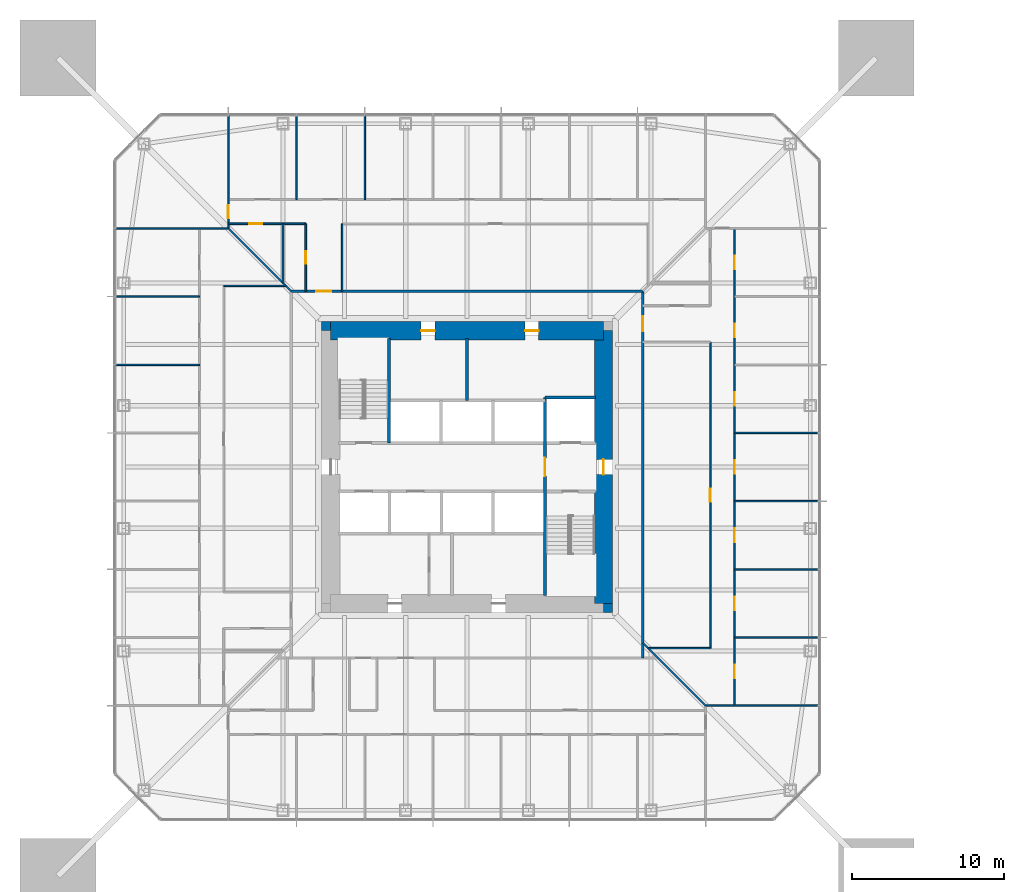
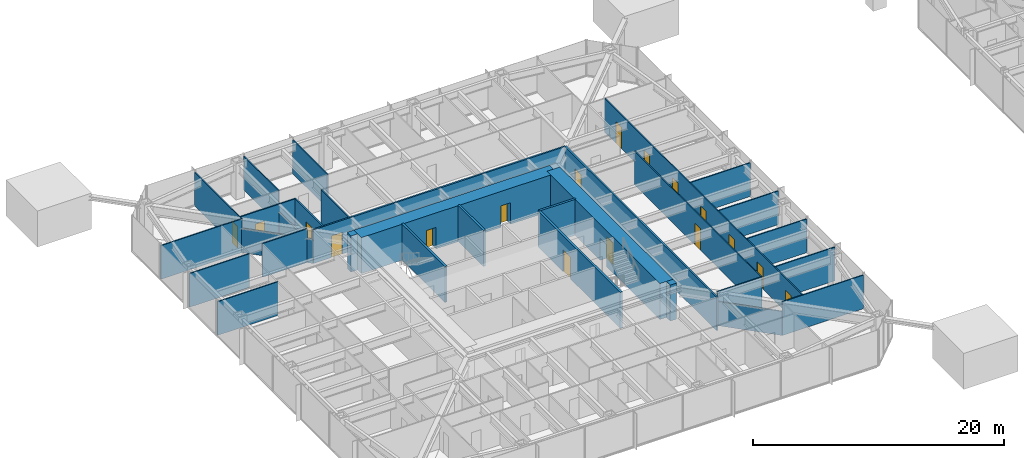
# One storey, part 16 of 26: 31 walls, 17 doors, 17 openings.
"""IFC4 building model written with IfcOpenShell, lengths in metres."""

from ifc_helpers import new_model, si_unit, direction, frame, frame_2d, origin, place, context, subcontext, project, spatial, rectangle, extrude, material, layer, layer_set, type_object, element, fill, save


model = new_model("IFC4")

# Units and contexts
model_context = context("Model", 3, precision=1e-05, world=origin(), true_north=direction((0.0, 1.0)))
body_context = subcontext(model_context, "Body", "Model", "MODEL_VIEW")
ifc_project = project(units=[si_unit("LENGTHUNIT", "METRE"), si_unit("AREAUNIT", "SQUARE_METRE"), si_unit("VOLUMEUNIT", "CUBIC_METRE"), si_unit("PLANEANGLEUNIT", "RADIAN"), si_unit("MASSUNIT", "GRAM", prefix="KILO")], contexts=[model_context])

# Site, building, storey
site_placement = place(None, origin())
site = spatial("IfcSite", under=ifc_project, at=site_placement, CompositionType="ELEMENT")
building_placement = place(site_placement, origin())
building = spatial("IfcBuilding", under=site, at=building_placement, Name="Iwan Alto Co-Living Towers", CompositionType="ELEMENT")
storey_placement = place(building_placement, frame((0.0, 0.0, 18.5)))
storey = spatial("IfcBuildingStorey", under=building, at=storey_placement, Name="L04", CompositionType="ELEMENT", Elevation=18.5)

# Wall, opening, door
ifc_material_1 = material(Name="Gypsum board")
ifc_layer_1 = layer(ifc_material_1, 0.02490234375, Name="Board", Category="Finish")
ifc_material_2 = material(Name="Steel ASTM A1003 ST33H cold-formed studs", Category="steel")
ifc_layer_2 = layer(ifc_material_2, 0.10009765625, Name="Studs", Category="Framing")
ifc_layer_3 = layer(ifc_material_1, 0.02490234375, Name="Board", Category="Finish")
ifc_layer_set_1 = layer_set([ifc_layer_1, ifc_layer_2, ifc_layer_3], Name="CORRIDOR WALL 150")
wall_type_1 = type_object("IfcWallType", Name="CORRIDOR WALL 150", PredefinedType="PARTITIONING", material=ifc_layer_set_1)
wall_1_placement = place(storey_placement, frame((-11.60009765625, 11.60009765625, 0.0), z_axis=(0.0, 0.0, 1.0), x_axis=(1.0, 0.0, 0.0)))
wall_1 = element("IfcWall", 1, at=wall_1_placement, inside=storey, type_object=wall_type_1, Name="Partition L04", PredefinedType="PARTITIONING", context=body_context, shape_type="SweptSolid", body=[
    extrude(rectangle(XDim=23.2001953125, YDim=0.14990234375, at=frame_2d((11.60009765625, 0.0))), origin(), (0.0, 0.0, 1.0), 3.27001953125),
])
opening_1_placement = place(wall_1_placement, frame((1.64990234375, 0.0, 0.0)))
opening_1 = element("IfcOpeningElement", 2, at=opening_1_placement, cuts=wall_1, Name="Opening D3", PredefinedType="OPENING", context=body_context, shape_type="SweptSolid", body=[
    extrude(rectangle(XDim=1.0, YDim=2.10009765625, at=frame_2d((0.5, 1.050048828125))), frame((0.0, 0.0849609375, 0.0), z_axis=(0.0, -1.0, 0.0), x_axis=(1.0, 0.0, 0.0)), (0.0, 0.0, 1.0), 0.169921875),
])
ifc_material_3 = material(Name="Steel frame with timber leaf", Category="steel")
door_type_1 = type_object("IfcDoorType", Name="FLAT ENTRANCE DOOR FD30S 1000X2100", OperationType="SINGLE_SWING_LEFT", PredefinedType="DOOR", material=ifc_material_3)
door_1_placement = place(opening_1_placement, origin())
door_1 = element("IfcDoor", 3, at=door_1_placement, inside=storey, type_object=door_type_1, Name="Cluster lounge door L04", OperationType="SINGLE_SWING_LEFT", OverallHeight=2.10009765625, OverallWidth=1.0, PredefinedType="DOOR", context=body_context, shape_type="SweptSolid", body=[
    extrude(rectangle(XDim=1.0, YDim=2.10009765625, at=frame_2d((0.5, 1.050048828125))), frame((0.0, 0.02490234375, 0.0), z_axis=(0.0, -1.0, 0.0), x_axis=(1.0, 0.0, 0.0)), (0.0, 0.0, 1.0), 0.050048828125),
])
fill(opening_1, door_1)

wall_2_placement = place(storey_placement, frame((11.60009765625, -12.60009765625, 0.0), z_axis=(0.0, 0.0, 1.0), x_axis=(0.0, 1.0, 0.0)))
wall_2 = element("IfcWall", 4, at=wall_2_placement, inside=storey, type_object=wall_type_1, Name="Partition L04", PredefinedType="PARTITIONING", context=body_context, shape_type="SweptSolid", body=[
    extrude(rectangle(XDim=24.2001953125, YDim=0.14990234375, at=frame_2d((12.10009765625, 0.0))), origin(), (0.0, 0.0, 1.0), 3.27001953125),
])
opening_2_placement = place(wall_2_placement, frame((21.550048828125, 0.0, 0.0)))
opening_2 = element("IfcOpeningElement", 5, at=opening_2_placement, cuts=wall_2, Name="Opening D3", PredefinedType="OPENING", context=body_context, shape_type="SweptSolid", body=[
    extrude(rectangle(XDim=1.0, YDim=2.10009765625, at=frame_2d((0.5, 1.050048828125))), frame((0.0, 0.0849609375, 0.0), z_axis=(0.0, -1.0, 0.0), x_axis=(1.0, 0.0, 0.0)), (0.0, 0.0, 1.0), 0.169921875),
])
door_2_placement = place(opening_2_placement, frame((1.0, 0.0, 0.0), z_axis=(0.0, 0.0, 1.0), x_axis=(-1.0, 0.0, 0.0)))
door_2 = element("IfcDoor", 6, at=door_2_placement, inside=storey, type_object=door_type_1, Name="Cluster lounge door L04", OperationType="SINGLE_SWING_RIGHT", OverallHeight=2.10009765625, OverallWidth=1.0, PredefinedType="DOOR", context=body_context, shape_type="SweptSolid", body=[
    extrude(rectangle(XDim=1.0, YDim=2.10009765625, at=frame_2d((0.5, 1.050048828125))), frame((0.0, 0.02490234375, 0.0), z_axis=(0.0, -1.0, 0.0), x_axis=(1.0, 0.0, 0.0)), (0.0, 0.0, 1.0), 0.050048828125),
])
fill(opening_2, door_2)

# Walls
ifc_layer_4 = layer(ifc_material_1, 0.012451171875, Name="Board", Category="Finish")
ifc_layer_5 = layer(ifc_material_2, 0.074951171875, Name="Studs", Category="Framing")
ifc_layer_6 = layer(ifc_material_1, 0.012451171875, Name="Board", Category="Finish")
ifc_layer_set_2 = layer_set([ifc_layer_4, ifc_layer_5, ifc_layer_6], Name="PARTITION 100")
wall_type_2 = type_object("IfcWallType", Name="PARTITION 100", PredefinedType="PARTITIONING", material=ifc_layer_set_2)
wall_3_placement = place(storey_placement, frame((15.75, -15.75, 0.0), z_axis=(0.0, 0.0, 1.0), x_axis=(1.0, 0.0, 0.0)))
element("IfcWall", 7, at=wall_3_placement, inside=storey, type_object=wall_type_2, Name="Partition L04", PredefinedType="PARTITIONING", context=body_context, shape_type="SweptSolid", body=[
    extrude(rectangle(XDim=7.43994140625, YDim=0.10009765625, at=frame_2d((3.719970703125, 0.0))), origin(), (0.0, 0.0, 1.0), 3.27001953125),
])
wall_4_placement = place(storey_placement, frame((11.949951171875, -11.949951171875, 0.0), z_axis=(0.0, 0.0, 1.0), x_axis=(1.0, 0.0, 0.0)))
element("IfcWall", 8, at=wall_4_placement, inside=storey, type_object=wall_type_2, Name="Partition L04", PredefinedType="PARTITIONING", context=body_context, shape_type="SweptSolid", body=[
    extrude(rectangle(XDim=4.10009765625, YDim=0.10009765625, at=frame_2d((2.050048828125, 0.0))), origin(), (0.0, 0.0, 1.0), 3.27001953125),
])
for number, where, z_axis, x_axis, name in (
    (9, (17.64990234375, -11.25, 0.0), (0.0, 0.0, 1.0), (1.0, 0.0, 0.0), "Partition L04"),
    (10, (17.64990234375, -6.75, 0.0), (0.0, 0.0, 1.0), (1.0, 0.0, 0.0), "Partition L04"),
    (11, (17.64990234375, -2.25, 0.0), (0.0, 0.0, 1.0), (1.0, 0.0, 0.0), "Partition L04"),
    (12, (17.64990234375, 2.25, 0.0), (0.0, 0.0, 1.0), (1.0, 0.0, 0.0), "Partition L04"),
    (13, (-23.18994140625, 6.75, 0.0), (0.0, 0.0, 1.0), (1.0, 0.0, 0.0), "Partition L04"),
    (14, (-23.18994140625, 11.25, 0.0), (0.0, 0.0, 1.0), (1.0, 0.0, 0.0), "Partition L04"),
):
    element("IfcWall", number, at=place(storey_placement, frame(where, z_axis=z_axis, x_axis=x_axis)), inside=storey, type_object=wall_type_2, Name=name, PredefinedType="PARTITIONING", context=body_context, shape_type="SweptSolid", body=[
        extrude(rectangle(XDim=5.5400390625, YDim=0.10009765625, at=frame_2d((2.77001953125, 0.0))), origin(), (0.0, 0.0, 1.0), 3.27001953125),
    ])
wall_5_placement = place(storey_placement, frame((-16.050048828125, 11.949951171875, 0.0), z_axis=(0.0, 0.0, 1.0), x_axis=(1.0, 0.0, 0.0)))
element("IfcWall", 15, at=wall_5_placement, inside=storey, type_object=wall_type_2, Name="Partition L04", PredefinedType="PARTITIONING", context=body_context, shape_type="SweptSolid", body=[
    extrude(rectangle(XDim=4.10009765625, YDim=0.10009765625, at=frame_2d((2.050048828125, 0.0))), origin(), (0.0, 0.0, 1.0), 3.27001953125),
])
wall_6_placement = place(storey_placement, frame((-23.18994140625, 15.75, 0.0), z_axis=(0.0, 0.0, 1.0), x_axis=(1.0, 0.0, 0.0)))
element("IfcWall", 16, at=wall_6_placement, inside=storey, type_object=wall_type_2, Name="Partition L04", PredefinedType="PARTITIONING", context=body_context, shape_type="SweptSolid", body=[
    extrude(rectangle(XDim=7.43994140625, YDim=0.10009765625, at=frame_2d((3.719970703125, 0.0))), origin(), (0.0, 0.0, 1.0), 3.27001953125),
])

# Wall, openings, doors
wall_7_placement = place(storey_placement, frame((17.64990234375, -15.75, 0.0), z_axis=(0.0, 0.0, 1.0), x_axis=(0.0, 1.0, 0.0)))
wall_7 = element("IfcWall", 17, at=wall_7_placement, inside=storey, type_object=wall_type_2, Name="Partition L04", PredefinedType="PARTITIONING", context=body_context, shape_type="SweptSolid", body=[
    extrude(rectangle(XDim=31.5, YDim=0.10009765625, at=frame_2d((15.75, 0.0))), origin(), (0.0, 0.0, 1.0), 3.27001953125),
])
opening_3_placement = place(wall_7_placement, frame((1.800048828125, 0.0, 0.0)))
opening_3 = element("IfcOpeningElement", 18, at=opening_3_placement, cuts=wall_7, Name="Opening D1", PredefinedType="OPENING", context=body_context, shape_type="SweptSolid", body=[
    extrude(rectangle(XDim=0.89990234375, YDim=2.10009765625, at=frame_2d((0.449951171875, 1.050048828125))), frame((0.0, 0.06005859375, 0.0), z_axis=(0.0, -1.0, 0.0), x_axis=(1.0, 0.0, 0.0)), (0.0, 0.0, 1.0), 0.1201171875),
])
opening_4_placement = place(wall_7_placement, frame((6.300048828125, 0.0, 0.0)))
opening_4 = element("IfcOpeningElement", 19, at=opening_4_placement, cuts=wall_7, Name="Opening D1", PredefinedType="OPENING", context=body_context, shape_type="SweptSolid", body=[
    extrude(rectangle(XDim=0.89990234375, YDim=2.10009765625, at=frame_2d((0.449951171875, 1.050048828125))), frame((0.0, 0.06005859375, 0.0), z_axis=(0.0, -1.0, 0.0), x_axis=(1.0, 0.0, 0.0)), (0.0, 0.0, 1.0), 0.1201171875),
])
opening_5_placement = place(wall_7_placement, frame((10.800048828125, 0.0, 0.0)))
opening_5 = element("IfcOpeningElement", 20, at=opening_5_placement, cuts=wall_7, Name="Opening D1", PredefinedType="OPENING", context=body_context, shape_type="SweptSolid", body=[
    extrude(rectangle(XDim=0.89990234375, YDim=2.10009765625, at=frame_2d((0.449951171875, 1.050048828125))), frame((0.0, 0.06005859375, 0.0), z_axis=(0.0, -1.0, 0.0), x_axis=(1.0, 0.0, 0.0)), (0.0, 0.0, 1.0), 0.1201171875),
])
opening_6_placement = place(wall_7_placement, frame((15.300048828125, 0.0, 0.0)))
opening_6 = element("IfcOpeningElement", 21, at=opening_6_placement, cuts=wall_7, Name="Opening D1", PredefinedType="OPENING", context=body_context, shape_type="SweptSolid", body=[
    extrude(rectangle(XDim=0.89990234375, YDim=2.10009765625, at=frame_2d((0.449951171875, 1.050048828125))), frame((0.0, 0.06005859375, 0.0), z_axis=(0.0, -1.0, 0.0), x_axis=(1.0, 0.0, 0.0)), (0.0, 0.0, 1.0), 0.1201171875),
])
opening_7_placement = place(wall_7_placement, frame((19.800048828125, 0.0, 0.0)))
opening_7 = element("IfcOpeningElement", 22, at=opening_7_placement, cuts=wall_7, Name="Opening D1", PredefinedType="OPENING", context=body_context, shape_type="SweptSolid", body=[
    extrude(rectangle(XDim=0.89990234375, YDim=2.10009765625, at=frame_2d((0.449951171875, 1.050048828125))), frame((0.0, 0.06005859375, 0.0), z_axis=(0.0, -1.0, 0.0), x_axis=(1.0, 0.0, 0.0)), (0.0, 0.0, 1.0), 0.1201171875),
])
opening_8_placement = place(wall_7_placement, frame((24.300048828125, 0.0, 0.0)))
opening_8 = element("IfcOpeningElement", 23, at=opening_8_placement, cuts=wall_7, Name="Opening D1", PredefinedType="OPENING", context=body_context, shape_type="SweptSolid", body=[
    extrude(rectangle(XDim=0.89990234375, YDim=2.10009765625, at=frame_2d((0.449951171875, 1.050048828125))), frame((0.0, 0.06005859375, 0.0), z_axis=(0.0, -1.0, 0.0), x_axis=(1.0, 0.0, 0.0)), (0.0, 0.0, 1.0), 0.1201171875),
])
opening_9_placement = place(wall_7_placement, frame((28.800048828125, 0.0, 0.0)))
opening_9 = element("IfcOpeningElement", 24, at=opening_9_placement, cuts=wall_7, Name="Opening D1", PredefinedType="OPENING", context=body_context, shape_type="SweptSolid", body=[
    extrude(rectangle(XDim=0.89990234375, YDim=2.10009765625, at=frame_2d((0.449951171875, 1.050048828125))), frame((0.0, 0.06005859375, 0.0), z_axis=(0.0, -1.0, 0.0), x_axis=(1.0, 0.0, 0.0)), (0.0, 0.0, 1.0), 0.1201171875),
])
ifc_material_4 = material(Name="Timber leaf in steel frame", Category="steel")
door_type_2 = type_object("IfcDoorType", Name="BEDROOM DOOR 900X2100", OperationType="SINGLE_SWING_LEFT", PredefinedType="DOOR", material=ifc_material_4)
door_3_placement = place(opening_3_placement, origin())
door_3 = element("IfcDoor", 25, at=door_3_placement, inside=storey, type_object=door_type_2, Name="Study bedroom door L04", OperationType="SINGLE_SWING_LEFT", OverallHeight=2.10009765625, OverallWidth=0.89990234375, PredefinedType="DOOR", context=body_context, shape_type="SweptSolid", body=[
    extrude(rectangle(XDim=0.89990234375, YDim=2.10009765625, at=frame_2d((0.449951171875, 1.050048828125))), frame((0.0, 0.02490234375, 0.0), z_axis=(0.0, -1.0, 0.0), x_axis=(1.0, 0.0, 0.0)), (0.0, 0.0, 1.0), 0.050048828125),
])
fill(opening_3, door_3)
door_4_placement = place(opening_4_placement, origin())
door_4 = element("IfcDoor", 26, at=door_4_placement, inside=storey, type_object=door_type_2, Name="Study bedroom door L04", OperationType="SINGLE_SWING_LEFT", OverallHeight=2.10009765625, OverallWidth=0.89990234375, PredefinedType="DOOR", context=body_context, shape_type="SweptSolid", body=[
    extrude(rectangle(XDim=0.89990234375, YDim=2.10009765625, at=frame_2d((0.449951171875, 1.050048828125))), frame((0.0, 0.02490234375, 0.0), z_axis=(0.0, -1.0, 0.0), x_axis=(1.0, 0.0, 0.0)), (0.0, 0.0, 1.0), 0.050048828125),
])
fill(opening_4, door_4)
door_5_placement = place(opening_5_placement, origin())
door_5 = element("IfcDoor", 27, at=door_5_placement, inside=storey, type_object=door_type_2, Name="Study bedroom door L04", OperationType="SINGLE_SWING_LEFT", OverallHeight=2.10009765625, OverallWidth=0.89990234375, PredefinedType="DOOR", context=body_context, shape_type="SweptSolid", body=[
    extrude(rectangle(XDim=0.89990234375, YDim=2.10009765625, at=frame_2d((0.449951171875, 1.050048828125))), frame((0.0, 0.02490234375, 0.0), z_axis=(0.0, -1.0, 0.0), x_axis=(1.0, 0.0, 0.0)), (0.0, 0.0, 1.0), 0.050048828125),
])
fill(opening_5, door_5)
door_6_placement = place(opening_6_placement, origin())
door_6 = element("IfcDoor", 28, at=door_6_placement, inside=storey, type_object=door_type_2, Name="Study bedroom door L04", OperationType="SINGLE_SWING_LEFT", OverallHeight=2.10009765625, OverallWidth=0.89990234375, PredefinedType="DOOR", context=body_context, shape_type="SweptSolid", body=[
    extrude(rectangle(XDim=0.89990234375, YDim=2.10009765625, at=frame_2d((0.449951171875, 1.050048828125))), frame((0.0, 0.02490234375, 0.0), z_axis=(0.0, -1.0, 0.0), x_axis=(1.0, 0.0, 0.0)), (0.0, 0.0, 1.0), 0.050048828125),
])
fill(opening_6, door_6)
door_7_placement = place(opening_7_placement, origin())
door_7 = element("IfcDoor", 29, at=door_7_placement, inside=storey, type_object=door_type_2, Name="Study bedroom door L04", OperationType="SINGLE_SWING_RIGHT", OverallHeight=2.10009765625, OverallWidth=0.89990234375, PredefinedType="DOOR", context=body_context, shape_type="SweptSolid", body=[
    extrude(rectangle(XDim=0.89990234375, YDim=2.10009765625, at=frame_2d((0.449951171875, 1.050048828125))), frame((0.0, 0.02490234375, 0.0), z_axis=(0.0, -1.0, 0.0), x_axis=(1.0, 0.0, 0.0)), (0.0, 0.0, 1.0), 0.050048828125),
])
fill(opening_7, door_7)
door_8_placement = place(opening_8_placement, origin())
door_8 = element("IfcDoor", 30, at=door_8_placement, inside=storey, type_object=door_type_2, Name="Study bedroom door L04", OperationType="SINGLE_SWING_RIGHT", OverallHeight=2.10009765625, OverallWidth=0.89990234375, PredefinedType="DOOR", context=body_context, shape_type="SweptSolid", body=[
    extrude(rectangle(XDim=0.89990234375, YDim=2.10009765625, at=frame_2d((0.449951171875, 1.050048828125))), frame((0.0, 0.02490234375, 0.0), z_axis=(0.0, -1.0, 0.0), x_axis=(1.0, 0.0, 0.0)), (0.0, 0.0, 1.0), 0.050048828125),
])
fill(opening_8, door_8)
door_9_placement = place(opening_9_placement, origin())
door_9 = element("IfcDoor", 31, at=door_9_placement, inside=storey, type_object=door_type_2, Name="Study bedroom door L04", OperationType="SINGLE_SWING_RIGHT", OverallHeight=2.10009765625, OverallWidth=0.89990234375, PredefinedType="DOOR", context=body_context, shape_type="SweptSolid", body=[
    extrude(rectangle(XDim=0.89990234375, YDim=2.10009765625, at=frame_2d((0.449951171875, 1.050048828125))), frame((0.0, 0.02490234375, 0.0), z_axis=(0.0, -1.0, 0.0), x_axis=(1.0, 0.0, 0.0)), (0.0, 0.0, 1.0), 0.050048828125),
])
fill(opening_9, door_9)

# Wall, opening, door
wall_8_placement = place(storey_placement, frame((16.050048828125, -11.949951171875, 0.0), z_axis=(0.0, 0.0, 1.0), x_axis=(0.0, 1.0, 0.0)))
wall_8 = element("IfcWall", 32, at=wall_8_placement, inside=storey, type_object=wall_type_2, Name="Partition L04", PredefinedType="PARTITIONING", context=body_context, shape_type="SweptSolid", body=[
    extrude(rectangle(XDim=20.199951171875, YDim=0.10009765625, at=frame_2d((10.10009765625, 0.0))), origin(), (0.0, 0.0, 1.0), 3.27001953125),
])
opening_10_placement = place(wall_8_placement, frame((9.675048828125, 0.0, 0.0)))
opening_10 = element("IfcOpeningElement", 33, at=opening_10_placement, cuts=wall_8, Name="Opening D2", PredefinedType="OPENING", context=body_context, shape_type="SweptSolid", body=[
    extrude(rectangle(XDim=0.85009765625, YDim=2.10009765625, at=frame_2d((0.425048828125, 1.050048828125))), frame((0.0, 0.06005859375, 0.0), z_axis=(0.0, -1.0, 0.0), x_axis=(1.0, 0.0, 0.0)), (0.0, 0.0, 1.0), 0.1201171875),
])
ifc_material_5 = material(Name="Timber leaf in steel frame", Category="steel")
door_type_3 = type_object("IfcDoorType", Name="ROOM DOOR 850X2100", OperationType="SINGLE_SWING_LEFT", PredefinedType="DOOR", material=ifc_material_5)
door_10_placement = place(opening_10_placement, origin())
door_10 = element("IfcDoor", 34, at=door_10_placement, inside=storey, type_object=door_type_3, Name="Study lounge door L04", OperationType="SINGLE_SWING_LEFT", OverallHeight=2.10009765625, OverallWidth=0.85009765625, PredefinedType="DOOR", context=body_context, shape_type="SweptSolid", body=[
    extrude(rectangle(XDim=0.85009765625, YDim=2.10009765625, at=frame_2d((0.425048828125, 1.050048828125))), frame((0.0, 0.02490234375, 0.0), z_axis=(0.0, -1.0, 0.0), x_axis=(1.0, 0.0, 0.0)), (0.0, 0.0, 1.0), 0.050048828125),
])
fill(opening_10, door_10)

# Walls
wall_9_placement = place(storey_placement, frame((-6.75, 17.64990234375, 0.0), z_axis=(0.0, 0.0, 1.0), x_axis=(0.0, 1.0, 0.0)))
element("IfcWall", 35, at=wall_9_placement, inside=storey, type_object=wall_type_2, Name="Partition L04", PredefinedType="PARTITIONING", context=body_context, shape_type="SweptSolid", body=[
    extrude(rectangle(XDim=5.5400390625, YDim=0.10009765625, at=frame_2d((2.77001953125, 0.0))), origin(), (0.0, 0.0, 1.0), 3.27001953125),
])
wall_10_placement = place(storey_placement, frame((-8.25, 11.60009765625, 0.0), z_axis=(0.0, 0.0, 1.0), x_axis=(0.0, 1.0, 0.0)))
element("IfcWall", 36, at=wall_10_placement, inside=storey, type_object=wall_type_2, Name="Partition L04", PredefinedType="PARTITIONING", context=body_context, shape_type="SweptSolid", body=[
    extrude(rectangle(XDim=4.449951171875, YDim=0.10009765625, at=frame_2d((2.22509765625, 0.0))), origin(), (0.0, 0.0, 1.0), 3.27001953125),
])
wall_11_placement = place(storey_placement, frame((-11.25, 17.64990234375, 0.0), z_axis=(0.0, 0.0, 1.0), x_axis=(0.0, 1.0, 0.0)))
element("IfcWall", 37, at=wall_11_placement, inside=storey, type_object=wall_type_2, Name="Partition L04", PredefinedType="PARTITIONING", context=body_context, shape_type="SweptSolid", body=[
    extrude(rectangle(XDim=5.5400390625, YDim=0.10009765625, at=frame_2d((2.77001953125, 0.0))), origin(), (0.0, 0.0, 1.0), 3.27001953125),
])

# Wall, opening, door
wall_12_placement = place(storey_placement, frame((-15.75, 15.75, 0.0), z_axis=(0.0, 0.0, 1.0), x_axis=(0.0, 1.0, 0.0)))
wall_12 = element("IfcWall", 38, at=wall_12_placement, inside=storey, type_object=wall_type_2, Name="Partition L04", PredefinedType="PARTITIONING", context=body_context, shape_type="SweptSolid", body=[
    extrude(rectangle(XDim=7.43994140625, YDim=0.10009765625, at=frame_2d((3.719970703125, 0.0))), origin(), (0.0, 0.0, 1.0), 3.27001953125),
])
opening_11_placement = place(wall_12_placement, frame((0.675048828125, 0.0, 0.0)))
opening_11 = element("IfcOpeningElement", 39, at=opening_11_placement, cuts=wall_12, Name="Opening D2", PredefinedType="OPENING", context=body_context, shape_type="SweptSolid", body=[
    extrude(rectangle(XDim=0.85009765625, YDim=2.10009765625, at=frame_2d((0.425048828125, 1.050048828125))), frame((0.0, 0.06005859375, 0.0), z_axis=(0.0, -1.0, 0.0), x_axis=(1.0, 0.0, 0.0)), (0.0, 0.0, 1.0), 0.1201171875),
])
door_11_placement = place(opening_11_placement, frame((0.85009765625, 0.0, 0.0), z_axis=(0.0, 0.0, 1.0), x_axis=(-1.0, 0.0, 0.0)))
door_11 = element("IfcDoor", 40, at=door_11_placement, inside=storey, type_object=door_type_3, Name="Shared kitchen and lounge door L04", OperationType="SINGLE_SWING_RIGHT", OverallHeight=2.10009765625, OverallWidth=0.85009765625, PredefinedType="DOOR", context=body_context, shape_type="SweptSolid", body=[
    extrude(rectangle(XDim=0.85009765625, YDim=2.10009765625, at=frame_2d((0.425048828125, 1.050048828125))), frame((0.0, 0.02490234375, 0.0), z_axis=(0.0, -1.0, 0.0), x_axis=(1.0, 0.0, 0.0)), (0.0, 0.0, 1.0), 0.050048828125),
])
fill(opening_11, door_11)

# Walls
wall_13_placement = place(storey_placement, frame((15.75, -15.75, 0.0), z_axis=(0.0, 0.0, 1.0), x_axis=(-0.707106781187, 0.707106781187, 0.0)))
element("IfcWall", 41, at=wall_13_placement, inside=storey, type_object=wall_type_2, Name="Partition L04", PredefinedType="PARTITIONING", context=body_context, shape_type="SweptSolid", body=[
    extrude(rectangle(XDim=5.868896484375, YDim=0.10009765625, at=frame_2d((2.9345703125, 0.0))), origin(), (0.0, 0.0, 1.0), 2.343017578125),
])
ifc_material_6 = material(Name="Concrete f'c 70 MPa", Category="concrete")
ifc_layer_7 = layer(ifc_material_6, 0.199951171875)
ifc_layer_set_3 = layer_set([ifc_layer_7], Name="SHAFT WALL 200")
wall_type_3 = type_object("IfcWallType", Name="SHAFT WALL 200", PredefinedType="SOLIDWALL", material=ifc_layer_set_3)
wall_14_placement = place(storey_placement, frame((5.14990234375, 4.60009765625, 0.0), z_axis=(0.0, 0.0, 1.0), x_axis=(1.0, 0.0, 0.0)))
element("IfcWall", 42, at=wall_14_placement, inside=storey, type_object=wall_type_3, Name="Shaft wall L04", PredefinedType="SOLIDWALL", context=body_context, shape_type="SweptSolid", body=[
    extrude(rectangle(XDim=3.340087890625, YDim=0.199951171875, at=frame_2d((1.669921875, 0.0))), origin(), (0.0, 0.0, 1.0), 3.5),
])

# Wall, opening, door
wall_15_placement = place(storey_placement, frame((5.14990234375, -8.489990234375, 0.0), z_axis=(0.0, 0.0, 1.0), x_axis=(0.0, 1.0, 0.0)))
wall_15 = element("IfcWall", 43, at=wall_15_placement, inside=storey, type_object=wall_type_3, Name="Shaft wall L04", PredefinedType="SOLIDWALL", context=body_context, shape_type="SweptSolid", body=[
    extrude(rectangle(XDim=13.090087890625, YDim=0.199951171875, at=frame_2d((6.544921875, 0.0))), origin(), (0.0, 0.0, 1.0), 3.5),
])
opening_12_placement = place(wall_15_placement, frame((7.889892578125, 0.0, 0.0)))
opening_12 = element("IfcOpeningElement", 44, at=opening_12_placement, cuts=wall_15, Name="Opening D6", PredefinedType="OPENING", context=body_context, shape_type="SweptSolid", body=[
    extrude(rectangle(XDim=1.199951171875, YDim=2.10009765625, at=frame_2d((0.60009765625, 1.050048828125))), frame((0.0, 0.10986328125, 0.0), z_axis=(0.0, -1.0, 0.0), x_axis=(1.0, 0.0, 0.0)), (0.0, 0.0, 1.0), 0.219970703125),
])
ifc_material_7 = material(Name="Steel frame with timber leaf", Category="steel")
door_type_4 = type_object("IfcDoorType", Name="LOBBY DOOR FD120S 1200X2100", OperationType="SINGLE_SWING_LEFT", PredefinedType="DOOR", material=ifc_material_7)
door_12_placement = place(opening_12_placement, frame((1.199951171875, 0.0, 0.0), z_axis=(0.0, 0.0, 1.0), x_axis=(-1.0, 0.0, 0.0)))
door_12 = element("IfcDoor", 45, at=door_12_placement, inside=storey, type_object=door_type_4, Name="Firefighting lobby door L04", OperationType="SINGLE_SWING_RIGHT", OverallHeight=2.10009765625, OverallWidth=1.199951171875, PredefinedType="DOOR", context=body_context, shape_type="SweptSolid", body=[
    extrude(rectangle(XDim=1.199951171875, YDim=2.10009765625, at=frame_2d((0.60009765625, 1.050048828125))), frame((0.0, 0.02490234375, 0.0), z_axis=(0.0, -1.0, 0.0), x_axis=(1.0, 0.0, 0.0)), (0.0, 0.0, 1.0), 0.050048828125),
])
fill(opening_12, door_12)

# Walls
wall_16_placement = place(storey_placement, frame((0.0, 4.39990234375, 0.0), z_axis=(0.0, 0.0, 1.0), x_axis=(0.0, 1.0, 0.0)))
element("IfcWall", 46, at=wall_16_placement, inside=storey, type_object=wall_type_3, Name="Shaft wall L04", PredefinedType="SOLIDWALL", context=body_context, shape_type="SweptSolid", body=[
    extrude(rectangle(XDim=4.090087890625, YDim=0.199951171875, at=frame_2d((2.044921875, 0.0))), origin(), (0.0, 0.0, 1.0), 3.5),
])
wall_17_placement = place(storey_placement, frame((-5.14990234375, 1.60009765625, 0.0), z_axis=(0.0, 0.0, 1.0), x_axis=(0.0, 1.0, 0.0)))
element("IfcWall", 47, at=wall_17_placement, inside=storey, type_object=wall_type_3, Name="Shaft wall L04", PredefinedType="SOLIDWALL", context=body_context, shape_type="SweptSolid", body=[
    extrude(rectangle(XDim=6.889892578125, YDim=0.199951171875, at=frame_2d((3.44482421875, 0.0))), origin(), (0.0, 0.0, 1.0), 3.5),
])
ifc_material_8 = material(Name="Concrete f'c 70 MPa", Category="concrete")
ifc_layer_8 = layer(ifc_material_8, 0.60009765625)
ifc_layer_set_4 = layer_set([ifc_layer_8], Name="T1 CORE CORNER FILL 600")
wall_type_4 = type_object("IfcWallType", Name="T1 CORE CORNER FILL 600", PredefinedType="SOLIDWALL", material=ifc_layer_set_4)
for number, where, z_axis, x_axis, name in (
    (48, (9.0, -9.300048828125, 0.0), (0.0, 0.0, 1.0), (1.0, 0.0, 0.0), "T1 core corner SE L04"),
    (49, (-9.60009765625, 9.300048828125, 0.0), (0.0, 0.0, 1.0), (1.0, 0.0, 0.0), "T1 core corner NW L04"),
):
    element("IfcWall", number, at=place(storey_placement, frame(where, z_axis=z_axis, x_axis=x_axis)), inside=storey, type_object=wall_type_4, Name=name, PredefinedType="SOLIDWALL", context=body_context, shape_type="SweptSolid", body=[
        extrude(rectangle(XDim=0.60009765625, YDim=0.60009765625, at=frame_2d((0.300048828125, 0.0))), origin(), (0.0, 0.0, 1.0), 3.5),
    ])

# Wall, openings, doors
ifc_material_9 = material(Name="Concrete f'c 70 MPa", Category="concrete")
ifc_layer_9 = layer(ifc_material_9, 1.199951171875)
ifc_layer_set_5 = layer_set([ifc_layer_9], Name="T1 CORE WALL 1200")
wall_type_5 = type_object("IfcWallType", Name="T1 CORE WALL 1200", PredefinedType="SHEAR", material=ifc_layer_set_5)
wall_18_placement = place(storey_placement, frame((9.0, 9.0, 0.0), z_axis=(0.0, 0.0, 1.0), x_axis=(-1.0, 0.0, 0.0)))
wall_18 = element("IfcWall", 50, at=wall_18_placement, inside=storey, type_object=wall_type_5, Name="T1 core wall N L04", PredefinedType="SHEAR", context=body_context, shape_type="SweptSolid", body=[
    extrude(rectangle(XDim=18.0, YDim=1.199951171875, at=frame_2d((9.0, 0.0))), origin(), (0.0, 0.0, 1.0), 3.5),
])
opening_13_placement = place(wall_18_placement, frame((11.125, 0.0, 0.0)))
opening_13 = element("IfcOpeningElement", 51, at=opening_13_placement, cuts=wall_18, Name="Opening D8", PredefinedType="OPENING", context=body_context, shape_type="SweptSolid", body=[
    extrude(rectangle(XDim=0.89990234375, YDim=2.10009765625, at=frame_2d((0.449951171875, 1.050048828125))), frame((0.0, 0.60986328125, 0.0), z_axis=(0.0, -1.0, 0.0), x_axis=(1.0, 0.0, 0.0)), (0.0, 0.0, 1.0), 1.219970703125),
])
opening_14_placement = place(wall_18_placement, frame((4.27490234375, 0.0, 0.0)))
opening_14 = element("IfcOpeningElement", 52, at=opening_14_placement, cuts=wall_18, Name="Opening D8", PredefinedType="OPENING", context=body_context, shape_type="SweptSolid", body=[
    extrude(rectangle(XDim=0.89990234375, YDim=2.10009765625, at=frame_2d((0.449951171875, 1.050048828125))), frame((0.0, 0.60986328125, 0.0), z_axis=(0.0, -1.0, 0.0), x_axis=(1.0, 0.0, 0.0)), (0.0, 0.0, 1.0), 1.219970703125),
])
ifc_material_10 = material(Name="Steel frame with timber leaf", Category="steel")
door_type_5 = type_object("IfcDoorType", Name="RISER DOOR FD120 900X2100", OperationType="SINGLE_SWING_LEFT", PredefinedType="DOOR", material=ifc_material_10)
door_13_placement = place(opening_13_placement, origin())
door_13 = element("IfcDoor", 53, at=door_13_placement, inside=storey, type_object=door_type_5, Name="Electrical riser core door L04", OperationType="SINGLE_SWING_RIGHT", OverallHeight=2.10009765625, OverallWidth=0.89990234375, PredefinedType="DOOR", context=body_context, shape_type="SweptSolid", body=[
    extrude(rectangle(XDim=0.89990234375, YDim=2.10009765625, at=frame_2d((0.449951171875, 1.050048828125))), frame((0.0, 0.02490234375, 0.0), z_axis=(0.0, -1.0, 0.0), x_axis=(1.0, 0.0, 0.0)), (0.0, 0.0, 1.0), 0.050048828125),
])
fill(opening_13, door_13)
door_14_placement = place(opening_14_placement, origin())
door_14 = element("IfcDoor", 54, at=door_14_placement, inside=storey, type_object=door_type_5, Name="Water and drainage riser core door L04", OperationType="SINGLE_SWING_RIGHT", OverallHeight=2.10009765625, OverallWidth=0.89990234375, PredefinedType="DOOR", context=body_context, shape_type="SweptSolid", body=[
    extrude(rectangle(XDim=0.89990234375, YDim=2.10009765625, at=frame_2d((0.449951171875, 1.050048828125))), frame((0.0, 0.02490234375, 0.0), z_axis=(0.0, -1.0, 0.0), x_axis=(1.0, 0.0, 0.0)), (0.0, 0.0, 1.0), 0.050048828125),
])
fill(opening_14, door_14)

# Wall, opening, door
wall_19_placement = place(storey_placement, frame((9.0, -9.0, 0.0), z_axis=(0.0, 0.0, 1.0), x_axis=(0.0, 1.0, 0.0)))
wall_19 = element("IfcWall", 55, at=wall_19_placement, inside=storey, type_object=wall_type_5, Name="T1 core wall E L04", PredefinedType="SHEAR", context=body_context, shape_type="SweptSolid", body=[
    extrude(rectangle(XDim=18.0, YDim=1.199951171875, at=frame_2d((9.0, 0.0))), origin(), (0.0, 0.0, 1.0), 3.5),
])
opening_15_placement = place(wall_19_placement, frame((8.5, 0.0, 0.0)))
opening_15 = element("IfcOpeningElement", 56, at=opening_15_placement, cuts=wall_19, Name="Opening D7", PredefinedType="OPENING", context=body_context, shape_type="SweptSolid", body=[
    extrude(rectangle(XDim=1.0, YDim=2.10009765625, at=frame_2d((0.5, 1.050048828125))), frame((0.0, 0.60986328125, 0.0), z_axis=(0.0, -1.0, 0.0), x_axis=(1.0, 0.0, 0.0)), (0.0, 0.0, 1.0), 1.219970703125),
])
ifc_material_11 = material(Name="Steel frame with timber leaf", Category="steel")
door_type_6 = type_object("IfcDoorType", Name="CORE DOOR FD120S 1000X2100", OperationType="SINGLE_SWING_LEFT", PredefinedType="DOOR", material=ifc_material_11)
door_15_placement = place(opening_15_placement, origin())
door_15 = element("IfcDoor", 57, at=door_15_placement, inside=storey, type_object=door_type_6, Name="Firefighting lobby core door L04", OperationType="SINGLE_SWING_LEFT", OverallHeight=2.10009765625, OverallWidth=1.0, PredefinedType="DOOR", context=body_context, shape_type="SweptSolid", body=[
    extrude(rectangle(XDim=1.0, YDim=2.10009765625, at=frame_2d((0.5, 1.050048828125))), frame((0.0, 0.02490234375, 0.0), z_axis=(0.0, -1.0, 0.0), x_axis=(1.0, 0.0, 0.0)), (0.0, 0.0, 1.0), 0.050048828125),
])
fill(opening_15, door_15)

ifc_material_12 = material(Name="Cement board")
ifc_layer_10 = layer(ifc_material_12, 0.012451171875, Name="Board", Category="Finish")
ifc_layer_11 = layer(ifc_material_2, 0.094970703125, Name="Studs", Category="Framing")
ifc_layer_12 = layer(ifc_material_12, 0.012451171875, Name="Board", Category="Finish")
ifc_layer_set_6 = layer_set([ifc_layer_10, ifc_layer_11, ifc_layer_12], Name="WET AREA PARTITION 120")
wall_type_6 = type_object("IfcWallType", Name="WET AREA PARTITION 120", PredefinedType="PARTITIONING", material=ifc_layer_set_6)
wall_20_placement = place(storey_placement, frame((-15.75, 16.050048828125, 0.0), z_axis=(0.0, 0.0, 1.0), x_axis=(1.0, 0.0, 0.0)))
wall_20 = element("IfcWall", 58, at=wall_20_placement, inside=storey, type_object=wall_type_6, Name="Partition L04", PredefinedType="PARTITIONING", context=body_context, shape_type="SweptSolid", body=[
    extrude(rectangle(XDim=5.10009765625, YDim=0.1201171875, at=frame_2d((2.550048828125, 0.0))), origin(), (0.0, 0.0, 1.0), 3.27001953125),
])
opening_16_placement = place(wall_20_placement, frame((1.375, 0.0, 0.0)))
opening_16 = element("IfcOpeningElement", 59, at=opening_16_placement, cuts=wall_20, Name="Opening D2", PredefinedType="OPENING", context=body_context, shape_type="SweptSolid", body=[
    extrude(rectangle(XDim=0.85009765625, YDim=2.10009765625, at=frame_2d((0.425048828125, 1.050048828125))), frame((0.0, 0.070068359375, 0.0), z_axis=(0.0, -1.0, 0.0), x_axis=(1.0, 0.0, 0.0)), (0.0, 0.0, 1.0), 0.14013671875),
])
door_16_placement = place(opening_16_placement, origin())
door_16 = element("IfcDoor", 60, at=door_16_placement, inside=storey, type_object=door_type_3, Name="Accessible bathroom door L04", OperationType="SINGLE_SWING_LEFT", OverallHeight=2.10009765625, OverallWidth=0.85009765625, PredefinedType="DOOR", context=body_context, shape_type="SweptSolid", body=[
    extrude(rectangle(XDim=0.85009765625, YDim=2.10009765625, at=frame_2d((0.425048828125, 1.050048828125))), frame((0.0, 0.02490234375, 0.0), z_axis=(0.0, -1.0, 0.0), x_axis=(1.0, 0.0, 0.0)), (0.0, 0.0, 1.0), 0.050048828125),
])
fill(opening_16, door_16)

wall_21_placement = place(storey_placement, frame((-10.64990234375, 11.60009765625, 0.0), z_axis=(0.0, 0.0, 1.0), x_axis=(0.0, 1.0, 0.0)))
wall_21 = element("IfcWall", 61, at=wall_21_placement, inside=storey, type_object=wall_type_6, Name="Partition L04", PredefinedType="PARTITIONING", context=body_context, shape_type="SweptSolid", body=[
    extrude(rectangle(XDim=4.449951171875, YDim=0.1201171875, at=frame_2d((2.22509765625, 0.0))), origin(), (0.0, 0.0, 1.0), 3.27001953125),
])
opening_17_placement = place(wall_21_placement, frame((1.800048828125, 0.0, 0.0)))
opening_17 = element("IfcOpeningElement", 62, at=opening_17_placement, cuts=wall_21, Name="Opening D2", PredefinedType="OPENING", context=body_context, shape_type="SweptSolid", body=[
    extrude(rectangle(XDim=0.85009765625, YDim=2.10009765625, at=frame_2d((0.425048828125, 1.050048828125))), frame((0.0, 0.070068359375, 0.0), z_axis=(0.0, -1.0, 0.0), x_axis=(1.0, 0.0, 0.0)), (0.0, 0.0, 1.0), 0.14013671875),
])
door_17_placement = place(opening_17_placement, frame((0.85009765625, 0.0, 0.0), z_axis=(0.0, 0.0, 1.0), x_axis=(-1.0, 0.0, 0.0)))
door_17 = element("IfcDoor", 63, at=door_17_placement, inside=storey, type_object=door_type_3, Name="Bathroom door L04", OperationType="SINGLE_SWING_RIGHT", OverallHeight=2.10009765625, OverallWidth=0.85009765625, PredefinedType="DOOR", context=body_context, shape_type="SweptSolid", body=[
    extrude(rectangle(XDim=0.85009765625, YDim=2.10009765625, at=frame_2d((0.425048828125, 1.050048828125))), frame((0.0, 0.02490234375, 0.0), z_axis=(0.0, -1.0, 0.0), x_axis=(1.0, 0.0, 0.0)), (0.0, 0.0, 1.0), 0.050048828125),
])
fill(opening_17, door_17)

# Walls
wall_22_placement = place(storey_placement, frame((-12.14990234375, 12.14990234375, 0.0), z_axis=(0.0, 0.0, 1.0), x_axis=(0.0, 1.0, 0.0)))
element("IfcWall", 64, at=wall_22_placement, inside=storey, type_object=wall_type_6, Name="Partition L04", PredefinedType="PARTITIONING", context=body_context, shape_type="SweptSolid", body=[
    extrude(rectangle(XDim=3.900146484375, YDim=0.1201171875, at=frame_2d((1.9501953125, 0.0))), origin(), (0.0, 0.0, 1.0), 2.508056640625),
])
wall_23_placement = place(storey_placement, frame((-11.60009765625, 11.60009765625, 0.0), z_axis=(0.0, 0.0, 1.0), x_axis=(-0.707106781187, 0.707106781187, 0.0)))
element("IfcWall", 65, at=wall_23_placement, inside=storey, type_object=wall_type_6, Name="Partition L04", PredefinedType="PARTITIONING", context=body_context, shape_type="SweptSolid", body=[
    extrude(rectangle(XDim=5.868896484375, YDim=0.1201171875, at=frame_2d((2.9345703125, 0.0))), origin(), (0.0, 0.0, 1.0), 2.343017578125),
])

save(model, "model.ifc")
